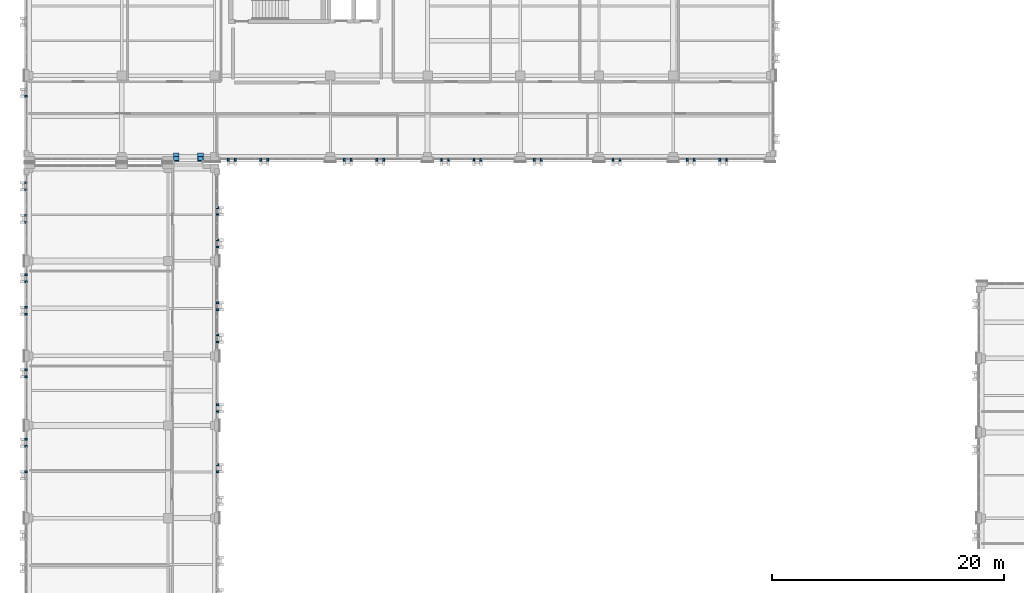
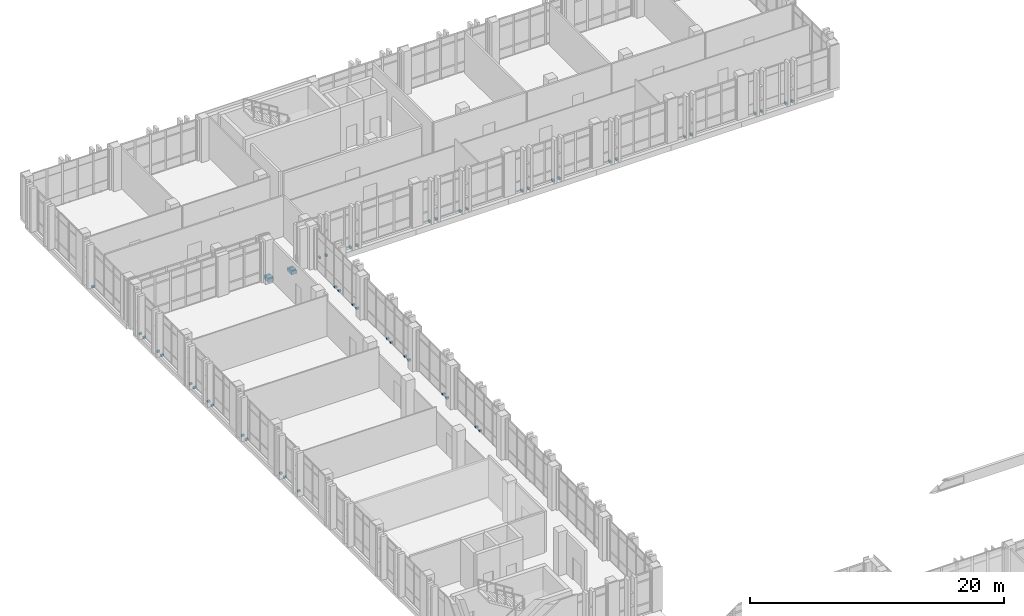
# One storey, part 140 of 158: 50 discrete accessories.
"""IFC4 building model written with IfcOpenShell, lengths in metres."""

from ifc_helpers import new_model, si_unit, direction, frame, origin, origin_2d, place, context, subcontext, project, spatial, rectangle, extrude, material, type_object, element, save


model = new_model("IFC4")

# Units and contexts
model_context = context("Model", 3, precision=1e-05, world=origin(), true_north=direction((0.0, 1.0)))
body_context = subcontext(model_context, "Body", "Model", "MODEL_VIEW")
ifc_project = project(units=[si_unit("LENGTHUNIT", "METRE"), si_unit("AREAUNIT", "SQUARE_METRE"), si_unit("VOLUMEUNIT", "CUBIC_METRE"), si_unit("PLANEANGLEUNIT", "RADIAN"), si_unit("MASSUNIT", "GRAM", prefix="KILO")], contexts=[model_context])

# Site, building, storey
site_placement = place(None, origin())
site = spatial("IfcSite", under=ifc_project, at=site_placement, CompositionType="ELEMENT")
building_placement = place(site_placement, origin())
building = spatial("IfcBuilding", under=site, at=building_placement, Name="Qalavern Law Courts", CompositionType="ELEMENT")
storey_placement = place(building_placement, frame((0.0, 0.0, 18.60009765625)))
storey = spatial("IfcBuildingStorey", under=building, at=storey_placement, Name="L04", CompositionType="ELEMENT", Elevation=18.60009765625)

# Discrete accessories
ifc_material_1 = material(Name="Steel S355", Category="steel")
discrete_accessory_type_1 = type_object("IfcDiscreteAccessoryType", Name="ENV-BRK-FIN", PredefinedType="BRACKET", material=ifc_material_1)
for number, where, z_axis, x_axis, name in (
    (1, (18.659912109375, 69.39990234375, -0.06982421875), (0.0, 0.0, 1.0), (1.0, 0.0, 0.0), "Stone blade anchor bracket 0369"),
    (2, (18.659912109375, 70.0, -0.06982421875), (0.0, 0.0, 1.0), (1.0, 0.0, 0.0), "Stone blade anchor bracket 0370"),
    (3, (18.659912109375, 74.60009765625, -0.06982421875), (0.0, 0.0, 1.0), (1.0, 0.0, 0.0), "Stone blade anchor bracket 0371"),
    (4, (18.659912109375, 75.199951171875, -0.06982421875), (0.0, 0.0, 1.0), (1.0, 0.0, 0.0), "Stone blade anchor bracket 0372"),
    (5, (18.659912109375, 80.60009765625, -0.06982421875), (0.0, 0.0, 1.0), (1.0, 0.0, 0.0), "Stone blade anchor bracket 0373"),
    (6, (18.659912109375, 81.199951171875, -0.06982421875), (0.0, 0.0, 1.0), (1.0, 0.0, 0.0), "Stone blade anchor bracket 0374"),
    (7, (18.659912109375, 83.39990234375, -0.06982421875), (0.0, 0.0, 1.0), (1.0, 0.0, 0.0), "Stone blade anchor bracket 0375"),
    (8, (18.659912109375, 84.0, -0.06982421875), (0.0, 0.0, 1.0), (1.0, 0.0, 0.0), "Stone blade anchor bracket 0376"),
    (9, (18.659912109375, 88.800048828125, -0.06982421875), (0.0, 0.0, 1.0), (1.0, 0.0, 0.0), "Stone blade anchor bracket 0377"),
    (10, (18.659912109375, 89.39990234375, -0.06982421875), (0.0, 0.0, 1.0), (1.0, 0.0, 0.0), "Stone blade anchor bracket 0378"),
    (11, (18.659912109375, 91.60009765625, -0.06982421875), (0.0, 0.0, 1.0), (1.0, 0.0, 0.0), "Stone blade anchor bracket 0379"),
    (12, (18.659912109375, 92.199951171875, -0.06982421875), (0.0, 0.0, 1.0), (1.0, 0.0, 0.0), "Stone blade anchor bracket 0380"),
    (13, (2.139892578125, 94.3349609375, -0.06982421875), (0.0, 0.0, 1.0), (-1.0, 0.0, 0.0), "Stone blade anchor bracket 0381"),
    (14, (2.139892578125, 93.735107421875, -0.06982421875), (0.0, 0.0, 1.0), (-1.0, 0.0, 0.0), "Stone blade anchor bracket 0382"),
    (15, (2.139892578125, 91.534912109375, -0.06982421875), (0.0, 0.0, 1.0), (-1.0, 0.0, 0.0), "Stone blade anchor bracket 0383"),
    (16, (2.139892578125, 90.93505859375, -0.06982421875), (0.0, 0.0, 1.0), (-1.0, 0.0, 0.0), "Stone blade anchor bracket 0384"),
    (17, (2.139892578125, 86.39990234375, -0.06982421875), (0.0, 0.0, 1.0), (-1.0, 0.0, 0.0), "Stone blade anchor bracket 0385"),
    (18, (2.139892578125, 85.800048828125, -0.06982421875), (0.0, 0.0, 1.0), (-1.0, 0.0, 0.0), "Stone blade anchor bracket 0386"),
    (19, (2.139892578125, 83.60009765625, -0.06982421875), (0.0, 0.0, 1.0), (-1.0, 0.0, 0.0), "Stone blade anchor bracket 0387"),
    (20, (2.139892578125, 83.0, -0.06982421875), (0.0, 0.0, 1.0), (-1.0, 0.0, 0.0), "Stone blade anchor bracket 0388"),
    (21, (2.139892578125, 78.199951171875, -0.06982421875), (0.0, 0.0, 1.0), (-1.0, 0.0, 0.0), "Stone blade anchor bracket 0389"),
    (22, (2.139892578125, 77.60009765625, -0.06982421875), (0.0, 0.0, 1.0), (-1.0, 0.0, 0.0), "Stone blade anchor bracket 0390"),
    (23, (2.139892578125, 72.199951171875, -0.06982421875), (0.0, 0.0, 1.0), (-1.0, 0.0, 0.0), "Stone blade anchor bracket 0391"),
    (24, (2.139892578125, 71.60009765625, -0.06982421875), (0.0, 0.0, 1.0), (-1.0, 0.0, 0.0), "Stone blade anchor bracket 0392"),
    (25, (2.139892578125, 69.39990234375, -0.06982421875), (0.0, 0.0, 1.0), (-1.0, 0.0, 0.0), "Stone blade anchor bracket 0393"),
    (26, (19.60009765625, 96.340087890625, -0.06982421875), (0.0, 0.0, 1.0), (0.0, -1.0, 0.0), "Stone blade anchor bracket 1065"),
    (27, (20.199951171875, 96.340087890625, -0.06982421875), (0.0, 0.0, 1.0), (0.0, -1.0, 0.0), "Stone blade anchor bracket 1066"),
    (28, (22.39990234375, 96.340087890625, -0.06982421875), (0.0, 0.0, 1.0), (0.0, -1.0, 0.0), "Stone blade anchor bracket 1067"),
    (29, (23.0, 96.340087890625, -0.06982421875), (0.0, 0.0, 1.0), (0.0, -1.0, 0.0), "Stone blade anchor bracket 1068"),
    (30, (29.60009765625, 96.340087890625, -0.06982421875), (0.0, 0.0, 1.0), (0.0, -1.0, 0.0), "Stone blade anchor bracket 1069"),
    (31, (30.199951171875, 96.340087890625, -0.06982421875), (0.0, 0.0, 1.0), (0.0, -1.0, 0.0), "Stone blade anchor bracket 1070"),
    (32, (32.39990234375, 96.340087890625, -0.06982421875), (0.0, 0.0, 1.0), (0.0, -1.0, 0.0), "Stone blade anchor bracket 1071"),
    (33, (33.0, 96.340087890625, -0.06982421875), (0.0, 0.0, 1.0), (0.0, -1.0, 0.0), "Stone blade anchor bracket 1072"),
    (34, (38.0, 96.340087890625, -0.06982421875), (0.0, 0.0, 1.0), (0.0, -1.0, 0.0), "Stone blade anchor bracket 1073"),
    (35, (38.60009765625, 96.340087890625, -0.06982421875), (0.0, 0.0, 1.0), (0.0, -1.0, 0.0), "Stone blade anchor bracket 1074"),
    (36, (40.800048828125, 96.340087890625, -0.06982421875), (0.0, 0.0, 1.0), (0.0, -1.0, 0.0), "Stone blade anchor bracket 1075"),
    (37, (41.39990234375, 96.340087890625, -0.06982421875), (0.0, 0.0, 1.0), (0.0, -1.0, 0.0), "Stone blade anchor bracket 1076"),
    (38, (46.0, 96.340087890625, -0.06982421875), (0.0, 0.0, 1.0), (0.0, -1.0, 0.0), "Stone blade anchor bracket 1077"),
    (39, (46.60009765625, 96.340087890625, -0.06982421875), (0.0, 0.0, 1.0), (0.0, -1.0, 0.0), "Stone blade anchor bracket 1078"),
    (40, (52.800048828125, 96.340087890625, -0.06982421875), (0.0, 0.0, 1.0), (0.0, -1.0, 0.0), "Stone blade anchor bracket 1079"),
    (41, (53.39990234375, 96.340087890625, -0.06982421875), (0.0, 0.0, 1.0), (0.0, -1.0, 0.0), "Stone blade anchor bracket 1080"),
    (42, (59.199951171875, 96.340087890625, -0.06982421875), (0.0, 0.0, 1.0), (0.0, -1.0, 0.0), "Stone blade anchor bracket 1081"),
    (43, (59.800048828125, 96.340087890625, -0.06982421875), (0.0, 0.0, 1.0), (0.0, -1.0, 0.0), "Stone blade anchor bracket 1082"),
    (44, (62.0, 96.340087890625, -0.06982421875), (0.0, 0.0, 1.0), (0.0, -1.0, 0.0), "Stone blade anchor bracket 1083"),
    (45, (62.60009765625, 96.340087890625, -0.06982421875), (0.0, 0.0, 1.0), (0.0, -1.0, 0.0), "Stone blade anchor bracket 1084"),
    (46, (2.139892578125, 101.800048828125, -0.06982421875), (0.0, 0.0, 1.0), (-1.0, 0.0, 0.0), "Stone blade anchor bracket 1120"),
):
    element("IfcDiscreteAccessory", number, at=place(storey_placement, frame(where, z_axis=z_axis, x_axis=x_axis)), inside=storey, type_object=discrete_accessory_type_1, Name=name, PredefinedType="BRACKET", context=body_context, shape_type="SweptSolid", body=[
        extrude(rectangle(XDim=0.239990234375, YDim=0.159912109375, at=origin_2d()), origin(), (0.0, 0.0, 1.0), 0.179931640625),
    ])
ifc_material_2 = material(Name="Concrete C45/55", Category="concrete")
discrete_accessory_type_2 = type_object("IfcDiscreteAccessoryType", Name="STR-CORBEL-700", PredefinedType="BRACKET", material=ifc_material_2)
for number, where, z_axis, x_axis, name in (
    (47, (15.10009765625, 96.550048828125, -0.68017578125), (0.0, 0.0, 1.0), (1.0, 0.0, 0.0), "Bridge BR-V3-V5 700 mm corbel seat 1 L04"),
    (48, (17.199951171875, 96.550048828125, -0.68017578125), (0.0, 0.0, 1.0), (1.0, 0.0, 0.0), "Bridge BR-V3-V5 700 mm corbel seat 2 L04"),
):
    element("IfcDiscreteAccessory", number, at=place(storey_placement, frame(where, z_axis=z_axis, x_axis=x_axis)), inside=storey, type_object=discrete_accessory_type_2, Name=name, PredefinedType="BRACKET", context=body_context, shape_type="SweptSolid", body=[
        extrude(rectangle(XDim=0.5, YDim=0.699951171875, at=origin_2d()), origin(), (0.0, 0.0, 1.0), 0.320068359375),
    ])
discrete_accessory_type_3 = type_object("IfcDiscreteAccessoryType", Name="STR-SHOE-PTFE350", PredefinedType="SHOE", material=ifc_material_1)
for number, where, z_axis, x_axis, name in (
    (49, (15.10009765625, 96.449951171875, -0.360107421875), (0.0, 0.0, 1.0), (1.0, 0.0, 0.0), "Seismic bridge PTFE sliding bearing 53"),
    (50, (17.199951171875, 96.449951171875, -0.360107421875), (0.0, 0.0, 1.0), (1.0, 0.0, 0.0), "Seismic bridge PTFE sliding bearing 54"),
):
    element("IfcDiscreteAccessory", number, at=place(storey_placement, frame(where, z_axis=z_axis, x_axis=x_axis)), inside=storey, type_object=discrete_accessory_type_3, Name=name, PredefinedType="SHOE", context=body_context, shape_type="SweptSolid", body=[
        extrude(rectangle(XDim=0.449951171875, YDim=0.35009765625, at=origin_2d()), origin(), (0.0, 0.0, 1.0), 0.080078125),
    ])

save(model, "model.ifc")
